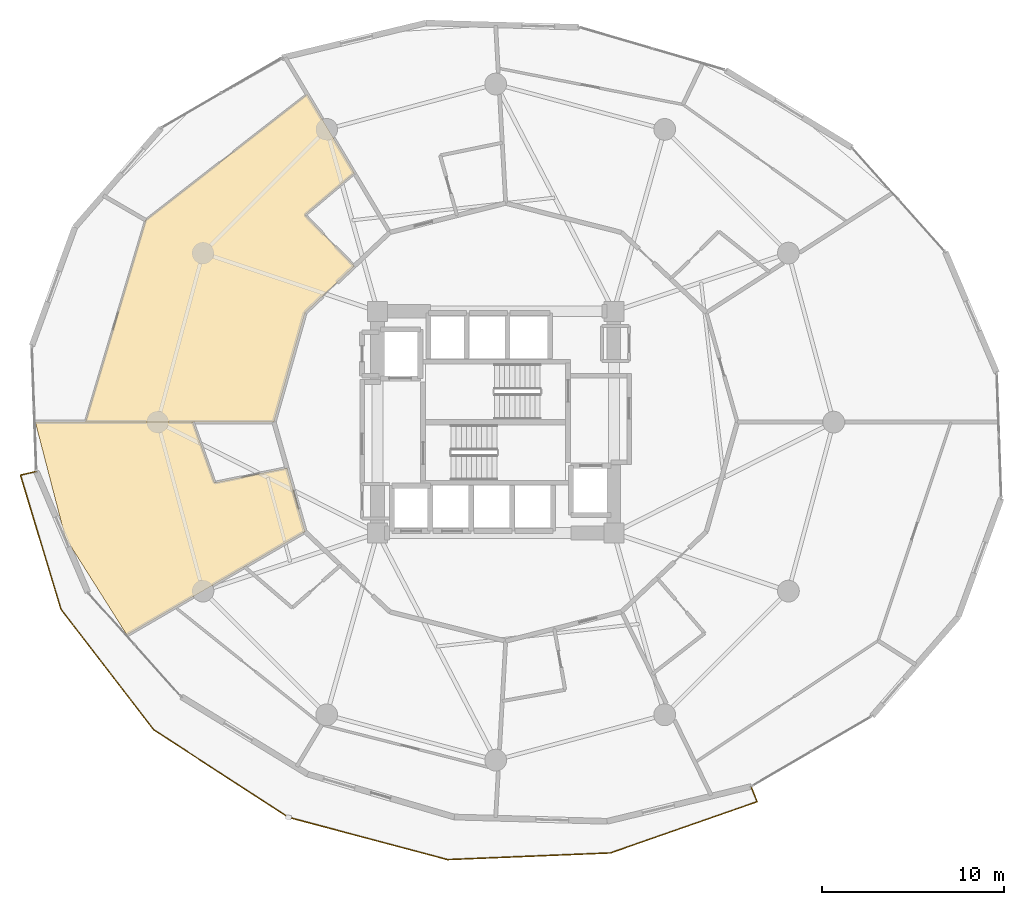
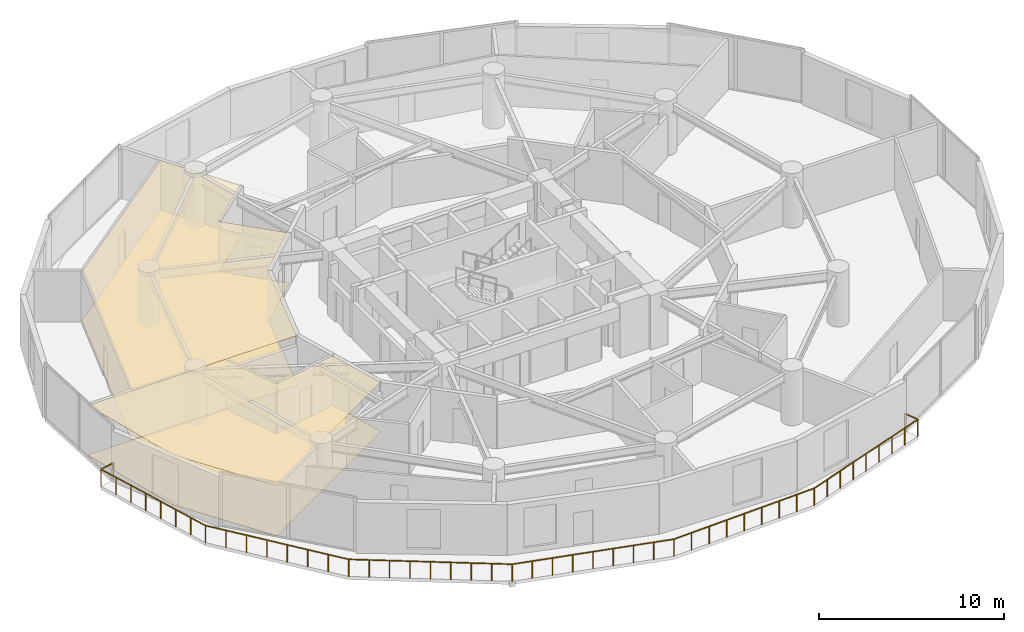
# One storey, part 21 of 23: 4 coverings, 1 railing.
"""IFC4 building model written with IfcOpenShell, lengths in metres."""

from ifc_helpers import new_model, si_unit, direction, frame, origin, origin_2d, place, context, subcontext, project, spatial, polyline, circle, outline, extrude, material, layer, layer_set, type_object, element, save


model = new_model("IFC4")

# Units and contexts
model_context = context("Model", 3, precision=1e-05, world=origin(), true_north=direction((0.0, 1.0)))
body_context = subcontext(model_context, "Body", "Model", "MODEL_VIEW")
ifc_project = project(units=[si_unit("LENGTHUNIT", "METRE"), si_unit("AREAUNIT", "SQUARE_METRE"), si_unit("VOLUMEUNIT", "CUBIC_METRE"), si_unit("PLANEANGLEUNIT", "RADIAN"), si_unit("MASSUNIT", "GRAM", prefix="KILO")], contexts=[model_context])

# Site, building, storey
site_placement = place(None, origin())
site = spatial("IfcSite", under=ifc_project, at=site_placement, CompositionType="ELEMENT")
building_placement = place(site_placement, origin())
building = spatial("IfcBuilding", under=site, at=building_placement, Name="Solvirekh Grand Hotel", CompositionType="ELEMENT")
storey_placement = place(building_placement, frame((0.0, 0.0, 42.800048828125)))
storey = spatial("IfcBuildingStorey", under=building, at=storey_placement, Name="L09", CompositionType="ELEMENT", Elevation=42.800048828125)

# Coverings
ifc_material_1 = material(Name="Acoustic Mineral Ceiling Tile")
ifc_layer_1 = layer(ifc_material_1, 0.02490234375)
ifc_layer_set_1 = layer_set([ifc_layer_1], Name="Acoustic Mineral Ceiling Tile")
covering_type_1 = type_object("IfcCoveringType", Name="Cov_Ceiling_Acoustic", PredefinedType="CEILING", material=ifc_layer_set_1)
covering_1_placement = place(storey_placement, frame((0.0, 0.0, 3.2900390625)))
element("IfcCovering", 1, at=covering_1_placement, inside=storey, type_object=covering_type_1, Name="L09 Executive Suite 1103 Living Room acoustic ceiling", PredefinedType="CEILING", context=body_context, shape_type="SweptSolid", body=[
    extrude(outline(polyline([(-10.50390625, 11.39990234375), (-7.781005859375, 13.70703125), (-10.37109375, 18.035888671875), (-19.256103515625, 11.111083984375), (-22.572998046875, 0.0), (-12.199951171875, 0.0), (-10.491943359375, 6.02490234375), (-7.784912109375, 8.5830078125), (-10.50390625, 11.39990234375)])), origin(), (0.0, 0.0, 1.0), 0.017822265625),
])
covering_2_placement = place(storey_placement, frame((0.0, 0.0, 3.2900390625)))
element("IfcCovering", 2, at=covering_2_placement, inside=storey, type_object=covering_type_1, Name="L09 Deluxe Guestroom 1104 acoustic ceiling", PredefinedType="CEILING", context=body_context, shape_type="SweptSolid", body=[
    extrude(outline(polyline([(-15.470947265625, -3.343017578125), (-16.6650390625, 0.0), (-25.3310546875, 0.0), (-23.68505859375, -6.346923828125), (-20.2890625, -11.714111328125), (-10.491943359375, -6.02490234375), (-11.48291015625, -2.530029296875), (-15.470947265625, -3.343017578125)])), origin(), (0.0, 0.0, 1.0), 0.017822265625),
])
ifc_material_2 = material(Name="Porcelain Stoneware Flooring", Category="masonry")
ifc_layer_2 = layer(ifc_material_2, 0.030029296875)
ifc_layer_set_2 = layer_set([ifc_layer_2], Name="Porcelain Stoneware Flooring")
covering_type_2 = type_object("IfcCoveringType", Name="Cov_Floor_Stone", PredefinedType="FLOORING", material=ifc_layer_set_2)
covering_3_placement = place(storey_placement, origin())
element("IfcCovering", 3, at=covering_3_placement, inside=storey, type_object=covering_type_2, Name="L09 Executive Suite 1103 Living Room polished granite flooring", PredefinedType="FLOORING", context=body_context, shape_type="SweptSolid", body=[
    extrude(outline(polyline([(-10.50390625, 11.39990234375), (-7.781005859375, 13.70703125), (-10.37109375, 18.035888671875), (-19.256103515625, 11.111083984375), (-22.572998046875, 0.0), (-12.199951171875, 0.0), (-10.491943359375, 6.02490234375), (-7.784912109375, 8.5830078125), (-10.50390625, 11.39990234375)])), origin(), (0.0, 0.0, 1.0), 0.02001953125),
])
covering_4_placement = place(storey_placement, origin())
element("IfcCovering", 4, at=covering_4_placement, inside=storey, type_object=covering_type_2, Name="L09 Deluxe Guestroom 1104 polished granite flooring", PredefinedType="FLOORING", context=body_context, shape_type="SweptSolid", body=[
    extrude(outline(polyline([(-15.470947265625, -3.343017578125), (-16.6650390625, 0.0), (-25.3310546875, 0.0), (-23.68505859375, -6.346923828125), (-20.2890625, -11.714111328125), (-10.491943359375, -6.02490234375), (-11.48291015625, -2.530029296875), (-15.470947265625, -3.343017578125)])), origin(), (0.0, 0.0, 1.0), 0.02001953125),
])

# Railing
ifc_material_3 = material(Name="Anodized Bronze Aluminium 6063-T6", Category="aluminium")
railing_type = type_object("IfcRailingType", Name="Guard_ExtGlass_1150", PredefinedType="BALUSTRADE", material=ifc_material_3)
railing_placement = place(storey_placement, frame((-25.27392578125, -2.716064453125, 0.0)))
element("IfcRailing", 5, at=railing_placement, inside=storey, type_object=railing_type, Name="L09 balc perimeter glass balustrade", PredefinedType="BALUSTRADE", context=body_context, shape_type="SweptSolid", body=[
    extrude(circle(Radius=0.02392578125, at=origin_2d()), frame((0.0, 0.0, 1.1259765625), z_axis=(-0.97527913123, -0.220976505964, 0.0), x_axis=(0.220976505964, -0.97527913123, 0.0)), (0.0, 0.0, 1.0), 0.900390625),
    extrude(circle(Radius=0.02392578125, at=origin_2d()), frame((-0.878173828125, -0.198974609375, 1.1259765625), z_axis=(0.289493082827, -0.957180105829, 0.0), x_axis=(0.957180105829, 0.289493082827, 0.0)), (0.0, 0.0, 1.0), 7.734375),
    extrude(circle(Radius=0.02392578125, at=origin_2d()), frame((1.36083984375, -7.60205078125, 1.1259765625), z_axis=(0.610523510378, -0.791998133379, 0.0), x_axis=(0.791998133379, 0.610523510378, 0.0)), (0.0, 0.0, 1.0), 8.3583984375),
    extrude(circle(Radius=0.02392578125, at=origin_2d()), frame((6.4638671875, -14.221923828125, 1.1259765625), z_axis=(0.838814640517, -0.544417118443, 0.0), x_axis=(0.544417118443, 0.838814640517, 0.0)), (0.0, 0.0, 1.0), 8.835205078125),
    extrude(circle(Radius=0.02392578125, at=origin_2d()), frame((13.875, -19.031982421875, 1.1259765625), z_axis=(0.966432854341, -0.256919322066, 0.0), x_axis=(0.256919322066, 0.966432854341, 0.0)), (0.0, 0.0, 1.0), 9.056884765625),
    extrude(circle(Radius=0.02392578125, at=origin_2d()), frame((22.6279296875, -21.35888671875, 1.1259765625), z_axis=(0.999162086713, 0.04092828454, 0.0), x_axis=(-0.04092828454, 0.999162086713, 0.0)), (0.0, 0.0, 1.0), 8.965576171875),
    extrude(circle(Radius=0.02392578125, at=origin_2d()), frame((31.5859375, -20.991943359375, 1.1259765625), z_axis=(0.944118399247, 0.329606505098, 0.0), x_axis=(-0.329606505098, 0.944118399247, 0.0)), (0.0, 0.0, 1.0), 8.552978515625),
    extrude(circle(Radius=0.02392578125, at=origin_2d()), frame((39.660888671875, -18.1728515625, 1.1259765625), z_axis=(-0.369143281432, 0.929372496781, 0.0), x_axis=(-0.929372496781, -0.369143281432, 0.0)), (0.0, 0.0, 1.0), 0.8994140625),
    extrude(circle(Radius=0.02099609375, at=origin_2d()), origin(), (0.0, 0.0, 1.0), 1.101806640625),
    extrude(circle(Radius=0.02099609375, at=origin_2d()), frame((-0.878173828125, -0.198974609375, 0.0)), (0.0, 0.0, 1.0), 1.101806640625),
    extrude(circle(Radius=0.02099609375, at=origin_2d()), frame((-0.558349609375, -1.256591796875, 0.0)), (0.0, 0.0, 1.0), 1.101806640625),
    extrude(circle(Radius=0.02099609375, at=origin_2d()), frame((-0.238525390625, -2.314208984375, 0.0)), (0.0, 0.0, 1.0), 1.101806640625),
    extrude(circle(Radius=0.02099609375, at=origin_2d()), frame((0.081298828125, -3.371826171875, 0.0)), (0.0, 0.0, 1.0), 1.101806640625),
    extrude(circle(Radius=0.02099609375, at=origin_2d()), frame((0.4013671875, -4.42919921875, 0.0)), (0.0, 0.0, 1.0), 1.101806640625),
    extrude(circle(Radius=0.02099609375, at=origin_2d()), frame((0.72119140625, -5.48681640625, 0.0)), (0.0, 0.0, 1.0), 1.101806640625),
    extrude(circle(Radius=0.02099609375, at=origin_2d()), frame((1.041015625, -6.54443359375, 0.0)), (0.0, 0.0, 1.0), 1.101806640625),
    extrude(circle(Radius=0.02099609375, at=origin_2d()), frame((1.36083984375, -7.60205078125, 0.0)), (0.0, 0.0, 1.0), 1.101806640625),
    extrude(circle(Radius=0.02099609375, at=origin_2d()), frame((2.08984375, -8.5478515625, 0.0)), (0.0, 0.0, 1.0), 1.101806640625),
    extrude(circle(Radius=0.02099609375, at=origin_2d()), frame((2.81884765625, -9.493408203125, 0.0)), (0.0, 0.0, 1.0), 1.101806640625),
    extrude(circle(Radius=0.02099609375, at=origin_2d()), frame((3.5478515625, -10.439208984375, 0.0)), (0.0, 0.0, 1.0), 1.101806640625),
    extrude(circle(Radius=0.02099609375, at=origin_2d()), frame((4.27685546875, -11.384765625, 0.0)), (0.0, 0.0, 1.0), 1.101806640625),
    extrude(circle(Radius=0.02099609375, at=origin_2d()), frame((5.005859375, -12.33056640625, 0.0)), (0.0, 0.0, 1.0), 1.101806640625),
    extrude(circle(Radius=0.02099609375, at=origin_2d()), frame((5.73486328125, -13.276123046875, 0.0)), (0.0, 0.0, 1.0), 1.101806640625),
    extrude(circle(Radius=0.02099609375, at=origin_2d()), frame((6.4638671875, -14.221923828125, 0.0)), (0.0, 0.0, 1.0), 1.101806640625),
    extrude(circle(Radius=0.02099609375, at=origin_2d()), frame((7.39013671875, -14.8232421875, 0.0)), (0.0, 0.0, 1.0), 1.101806640625),
    extrude(circle(Radius=0.02099609375, at=origin_2d()), frame((8.316650390625, -15.42431640625, 0.0)), (0.0, 0.0, 1.0), 1.101806640625),
    extrude(circle(Radius=0.02099609375, at=origin_2d()), frame((9.2431640625, -16.025634765625, 0.0)), (0.0, 0.0, 1.0), 1.101806640625),
    extrude(circle(Radius=0.02099609375, at=origin_2d()), frame((10.16943359375, -16.626953125, 0.0)), (0.0, 0.0, 1.0), 1.101806640625),
    extrude(circle(Radius=0.02099609375, at=origin_2d()), frame((11.095703125, -17.228271484375, 0.0)), (0.0, 0.0, 1.0), 1.101806640625),
    extrude(circle(Radius=0.02099609375, at=origin_2d()), frame((12.022216796875, -17.82958984375, 0.0)), (0.0, 0.0, 1.0), 1.101806640625),
    extrude(circle(Radius=0.02099609375, at=origin_2d()), frame((12.94873046875, -18.4306640625, 0.0)), (0.0, 0.0, 1.0), 1.101806640625),
    extrude(circle(Radius=0.02099609375, at=origin_2d()), frame((13.875, -19.031982421875, 0.0)), (0.0, 0.0, 1.0), 1.101806640625),
    extrude(circle(Radius=0.02099609375, at=origin_2d()), frame((14.96923828125, -19.32275390625, 0.0)), (0.0, 0.0, 1.0), 1.101806640625),
    extrude(circle(Radius=0.02099609375, at=origin_2d()), frame((16.063232421875, -19.61376953125, 0.0)), (0.0, 0.0, 1.0), 1.101806640625),
    extrude(circle(Radius=0.02099609375, at=origin_2d()), frame((17.1572265625, -19.904541015625, 0.0)), (0.0, 0.0, 1.0), 1.101806640625),
    extrude(circle(Radius=0.02099609375, at=origin_2d()), frame((18.25146484375, -20.1953125, 0.0)), (0.0, 0.0, 1.0), 1.101806640625),
    extrude(circle(Radius=0.02099609375, at=origin_2d()), frame((19.345703125, -20.486328125, 0.0)), (0.0, 0.0, 1.0), 1.101806640625),
    extrude(circle(Radius=0.02099609375, at=origin_2d()), frame((20.439697265625, -20.777099609375, 0.0)), (0.0, 0.0, 1.0), 1.101806640625),
    extrude(circle(Radius=0.02099609375, at=origin_2d()), frame((21.53369140625, -21.068115234375, 0.0)), (0.0, 0.0, 1.0), 1.101806640625),
    extrude(circle(Radius=0.02099609375, at=origin_2d()), frame((22.6279296875, -21.35888671875, 0.0)), (0.0, 0.0, 1.0), 1.101806640625),
    extrude(circle(Radius=0.02099609375, at=origin_2d()), frame((23.74755859375, -21.31298828125, 0.0)), (0.0, 0.0, 1.0), 1.101806640625),
    extrude(circle(Radius=0.02099609375, at=origin_2d()), frame((24.867431640625, -21.26708984375, 0.0)), (0.0, 0.0, 1.0), 1.101806640625),
    extrude(circle(Radius=0.02099609375, at=origin_2d()), frame((25.9873046875, -21.22119140625, 0.0)), (0.0, 0.0, 1.0), 1.101806640625),
    extrude(circle(Radius=0.02099609375, at=origin_2d()), frame((27.10693359375, -21.17529296875, 0.0)), (0.0, 0.0, 1.0), 1.101806640625),
    extrude(circle(Radius=0.02099609375, at=origin_2d()), frame((28.2265625, -21.129638671875, 0.0)), (0.0, 0.0, 1.0), 1.101806640625),
    extrude(circle(Radius=0.02099609375, at=origin_2d()), frame((29.346435546875, -21.083740234375, 0.0)), (0.0, 0.0, 1.0), 1.101806640625),
    extrude(circle(Radius=0.02099609375, at=origin_2d()), frame((30.46630859375, -21.037841796875, 0.0)), (0.0, 0.0, 1.0), 1.101806640625),
    extrude(circle(Radius=0.02099609375, at=origin_2d()), frame((31.5859375, -20.991943359375, 0.0)), (0.0, 0.0, 1.0), 1.101806640625),
    extrude(circle(Radius=0.02099609375, at=origin_2d()), frame((32.59521484375, -20.6396484375, 0.0)), (0.0, 0.0, 1.0), 1.101806640625),
    extrude(circle(Radius=0.02099609375, at=origin_2d()), frame((33.604736328125, -20.287109375, 0.0)), (0.0, 0.0, 1.0), 1.101806640625),
    extrude(circle(Radius=0.02099609375, at=origin_2d()), frame((34.614013671875, -19.934814453125, 0.0)), (0.0, 0.0, 1.0), 1.101806640625),
    extrude(circle(Radius=0.02099609375, at=origin_2d()), frame((35.62353515625, -19.58251953125, 0.0)), (0.0, 0.0, 1.0), 1.101806640625),
    extrude(circle(Radius=0.02099609375, at=origin_2d()), frame((36.6328125, -19.22998046875, 0.0)), (0.0, 0.0, 1.0), 1.101806640625),
    extrude(circle(Radius=0.02099609375, at=origin_2d()), frame((37.64208984375, -18.877685546875, 0.0)), (0.0, 0.0, 1.0), 1.101806640625),
    extrude(circle(Radius=0.02099609375, at=origin_2d()), frame((38.651611328125, -18.525146484375, 0.0)), (0.0, 0.0, 1.0), 1.101806640625),
    extrude(circle(Radius=0.02099609375, at=origin_2d()), frame((39.660888671875, -18.1728515625, 0.0)), (0.0, 0.0, 1.0), 1.101806640625),
    extrude(circle(Radius=0.02099609375, at=origin_2d()), frame((39.328857421875, -17.3369140625, 0.0)), (0.0, 0.0, 1.0), 1.101806640625),
])

save(model, "model.ifc")
